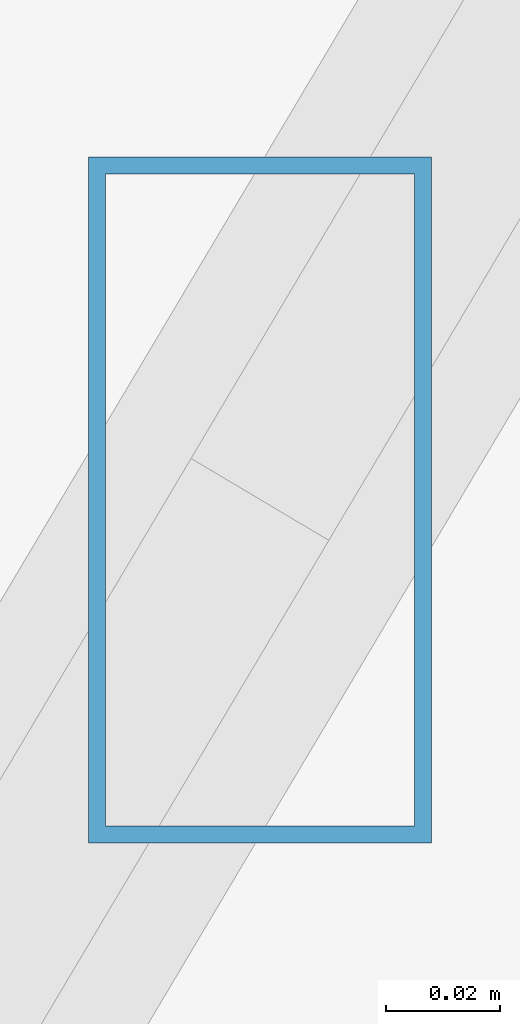
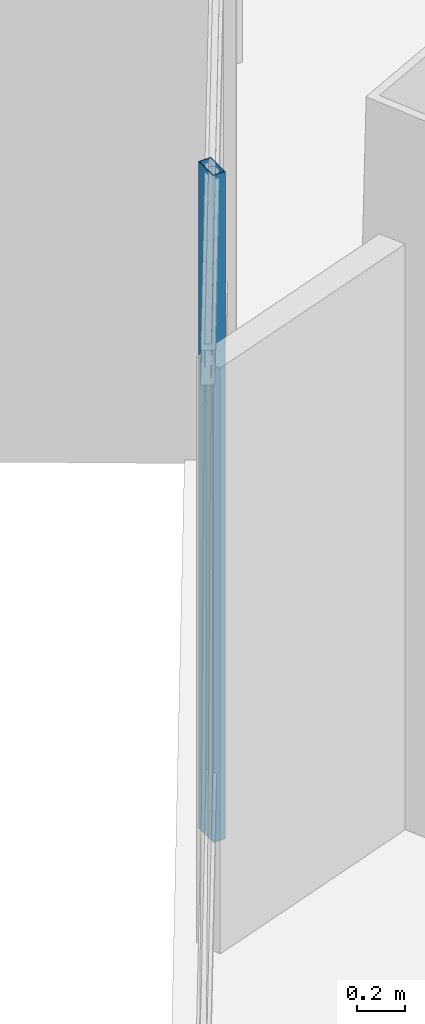
# One storey, part 7 of 42: 1 member, 1 element without a shape of its own.
"""IFC4 building model written with IfcOpenShell, lengths in metres."""

import ifcopenshell
import ifcopenshell.guid

model = None  # the IFC model being written
_history = None  # IfcOwnerHistory: only IFC2X3 demands one
_inside = {}  # id of a spatial element -> (the spatial element, [elements in it])
_under = {}  # id of a project, library or spatial element -> (it, [spatial elements below it])
_declared = {}  # id of a project -> (the project, [libraries it declares])
_typed = {}  # id of a type object -> (the type object, [elements of that type])
_made_of = {}  # id of a material, layer set ... -> (it, [elements and type objects made of it])


def new_model(schema):
    """Start an empty IFC model of exactly this schema.

    Asked for "IFC4X3", IfcOpenShell would pick the latest addendum, in which some entities
    have other attributes; the version numbers below select the first issue.
    IFC2X3 requires an IfcOwnerHistory on every rooted entity: one is made here for all.
    """
    global model, _history
    if schema == "IFC4X3":
        model = ifcopenshell.file(schema_version=(4, 3, 0, 0))
    else:
        model = ifcopenshell.file(schema=schema)
    _inside.clear()
    _under.clear()
    _declared.clear()
    _typed.clear()
    _made_of.clear()
    _history = None
    if model.schema == "IFC2X3":
        org = make("IfcOrganization", Name="unknown")
        user = make(
            "IfcPersonAndOrganization",
            ThePerson=make("IfcPerson", FamilyName="unknown"),
            TheOrganization=org,
        )
        app = make(
            "IfcApplication",
            ApplicationDeveloper=org,
            Version="unknown",
            ApplicationFullName="unknown",
            ApplicationIdentifier="unknown",
        )
        _history = make(
            "IfcOwnerHistory",
            OwningUser=user,
            OwningApplication=app,
            ChangeAction="ADDED",
            CreationDate=0,
        )
    return model


def make(cls, **values):
    """One entity of the class cls with the attributes given. An attribute that is None is left unset."""
    return model.create_entity(
        cls, **{name: value for name, value in values.items() if value is not None}
    )


def rooted(cls, **values):
    """An entity with a GlobalId (a new one), such as an element, a storey or a relation."""
    return make(cls, GlobalId=ifcopenshell.guid.new(), OwnerHistory=_history, **values)


def si_unit(unit_type, name, prefix=None):
    """IfcSIUnit, for example si_unit("LENGTHUNIT", "METRE", prefix="MILLI")."""
    return make("IfcSIUnit", UnitType=unit_type, Prefix=prefix, Name=name)


def assignment(units):
    """IfcUnitAssignment: the units of a project."""
    return None if units is None else make("IfcUnitAssignment", Units=units)


def point(xyz):
    """IfcCartesianPoint."""
    return None if xyz is None else make("IfcCartesianPoint", Coordinates=xyz)


def direction(xyz):
    """IfcDirection."""
    return None if xyz is None else make("IfcDirection", DirectionRatios=xyz)


def frame(location, z_axis=None, x_axis=None):
    """IfcAxis2Placement3D, a coordinate frame: its origin and axes. An axis left out is left unset."""
    return make(
        "IfcAxis2Placement3D",
        Location=point(location),
        Axis=direction(z_axis),
        RefDirection=direction(x_axis),
    )


def frame_2d(location, x_axis=None):
    """IfcAxis2Placement2D, a coordinate frame in the plane: its origin and x axis."""
    return make(
        "IfcAxis2Placement2D", Location=point(location), RefDirection=direction(x_axis)
    )


def origin():
    """The frame at (0, 0, 0) with its axes left unset."""
    return frame((0.0, 0.0, 0.0))


def origin_2d():
    """The frame at (0, 0) in the plane with its x axis left unset."""
    return frame_2d((0.0, 0.0))


def place(relative_to, where):
    """IfcLocalPlacement: puts the frame where relative to a parent placement (None: the world)."""
    return make(
        "IfcLocalPlacement", PlacementRelTo=relative_to, RelativePlacement=where
    )


def context(
    kind, dimensions, precision=None, world=None, true_north=None, identifier=None
):
    """IfcGeometricRepresentationContext, for example the 3D "Model" context."""
    return make(
        "IfcGeometricRepresentationContext",
        ContextIdentifier=identifier,
        ContextType=kind,
        CoordinateSpaceDimension=dimensions,
        Precision=precision,
        WorldCoordinateSystem=world,
        TrueNorth=true_north,
    )


def subcontext(parent, identifier, kind, view, scale=None):
    """IfcGeometricRepresentationSubContext, for example "Body" below "Model"."""
    return make(
        "IfcGeometricRepresentationSubContext",
        ContextIdentifier=identifier,
        ContextType=kind,
        ParentContext=parent,
        TargetScale=scale,
        TargetView=view,
    )


def project(units=None, contexts=None):
    """IfcProject with its units and contexts."""
    return rooted(
        "IfcProject",
        Name="project",
        RepresentationContexts=contexts,
        UnitsInContext=assignment(units),
    )


def spatial(cls, under=None, at=None, **own):
    """A site, building, storey or space (cls), placed at a placement, below another one or the project."""
    s = rooted(cls, ObjectPlacement=at, **own)
    if under is not None:
        _under.setdefault(under.id(), (under, []))[1].append(s)
    return s


def profile(cls, at=None, kind="AREA", **sizes):
    """A parametric profile (cls). Its sizes go by their IFC names, for example OverallWidth=200.0."""
    return make(cls, ProfileType=kind, Position=at, **sizes)


def hollow_rectangle(**sizes):
    """IfcRectangleHollowProfileDef."""
    return profile("IfcRectangleHollowProfileDef", **sizes)


def extrude(swept, where, along, depth):
    """IfcExtrudedAreaSolid: the profile swept, set in the frame where, extruded along a direction by depth."""
    return make(
        "IfcExtrudedAreaSolid",
        SweptArea=swept,
        Position=where,
        ExtrudedDirection=direction(along),
        Depth=depth,
    )


def shape(context_of_items, identifier, shape_type, items):
    """IfcShapeRepresentation: the items that make up one representation, for example the "Body"."""
    return make(
        "IfcShapeRepresentation",
        ContextOfItems=context_of_items,
        RepresentationIdentifier=identifier,
        RepresentationType=shape_type,
        Items=items,
    )


def source(mapping_origin, context_of_items, identifier, shape_type, items):
    """IfcRepresentationMap: a shape defined once, which mapped items show again and again."""
    return make(
        "IfcRepresentationMap",
        MappingOrigin=mapping_origin,
        MappedRepresentation=shape(context_of_items, identifier, shape_type, items),
    )


def transform(
    local_origin,
    x_axis=None,
    y_axis=None,
    z_axis=None,
    scale=None,
    scale2=None,
    scale3=None,
    uniform=True,
):
    """IfcCartesianTransformationOperator3D, or its non-uniform kind. x_axis, y_axis, z_axis: its Axis1, 2, 3."""
    if uniform:
        return make(
            "IfcCartesianTransformationOperator3D",
            Axis1=direction(x_axis),
            Axis2=direction(y_axis),
            LocalOrigin=point(local_origin),
            Scale=scale,
            Axis3=direction(z_axis),
        )
    return make(
        "IfcCartesianTransformationOperator3DnonUniform",
        Axis1=direction(x_axis),
        Axis2=direction(y_axis),
        LocalOrigin=point(local_origin),
        Scale=scale,
        Axis3=direction(z_axis),
        Scale2=scale2,
        Scale3=scale3,
    )


def mapped(mapping_source, mapping_target):
    """IfcMappedItem: shows the shape of a source again, moved by a transform."""
    return make(
        "IfcMappedItem", MappingSource=mapping_source, MappingTarget=mapping_target
    )


def material(Name=None, Category=None):
    """IfcMaterial."""
    return make("IfcMaterial", Name=Name, Category=Category)


def material_profile(
    of_material, cross_section, Name=None, Category=None, Priority=None
):
    """IfcMaterialProfile: a cross section and its material."""
    return make(
        "IfcMaterialProfile",
        Name=Name,
        Material=of_material,
        Profile=cross_section,
        Priority=Priority,
        Category=Category,
    )


def profile_set(profiles, Name=None, composite=None):
    """IfcMaterialProfileSet."""
    return make(
        "IfcMaterialProfileSet",
        Name=Name,
        MaterialProfiles=profiles,
        CompositeProfile=composite,
    )


def made_of(thing, what):
    """Note that an element or type object is made of a material, layer set ...; save() writes the relation."""
    if what is not None:
        _made_of.setdefault(what.id(), (what, []))[1].append(thing)
    return thing


def type_object(cls, material=None, **own):
    """A type object (cls), such as IfcWallType, which elements share."""
    return made_of(rooted(cls, **own), material)


def type_shapes(of_type, sources):
    """Give a type object the sources (RepresentationMaps) that its elements show as mapped items."""
    of_type.RepresentationMaps = sources


def element(
    cls,
    number,
    at=None,
    inside=None,
    cuts=None,
    type_object=None,
    material=None,
    context=None,
    identifier="Body",
    shape_type=None,
    held_by="IfcProductDefinitionShape",
    body=None,
    shapes=None,
    **own,
):
    """One element of the class cls, such as IfcWall. Its Tag is "e" and its number.

    at: its placement. inside: the storey or other place that contains it. cuts: it is an
    opening in that element (IfcRelVoidsElement). A single representation is given by context,
    identifier, shape_type and body (its items); several are given by shapes. held_by: the class
    of the entity that holds the representations. save() writes the other relations.
    """
    e = rooted(cls, Tag="e%d" % number, ObjectPlacement=at, **own)
    if body is not None:
        shapes = [shape(context, identifier, shape_type, body)]
    if shapes is not None:
        e.Representation = make(held_by, Representations=shapes)
    if inside is not None:
        _inside.setdefault(inside.id(), (inside, []))[1].append(e)
    if cuts is not None:
        rooted(
            "IfcRelVoidsElement", RelatingBuildingElement=cuts, RelatedOpeningElement=e
        )
    if type_object is not None:
        _typed.setdefault(type_object.id(), (type_object, []))[1].append(e)
    return made_of(e, material)


def aggregate(whole, parts):
    """IfcRelAggregates: a whole, such as a stair, and the parts it consists of."""
    return rooted("IfcRelAggregates", RelatingObject=whole, RelatedObjects=parts)


def save(model, path):
    """Write the relations noted so far, then the file.

    IfcRelAggregates (storeys below a building ...), IfcRelContainedInSpatialStructure (elements
    in a storey), IfcRelDefinesByType, IfcRelAssociatesMaterial and IfcRelDeclares: one each for
    every whole, place, type object, material and project.
    """
    for whole, parts in _under.values():
        aggregate(whole, parts)
    for where, things in _inside.values():
        rooted(
            "IfcRelContainedInSpatialStructure",
            RelatedElements=things,
            RelatingStructure=where,
        )
    for kind, things in _typed.values():
        rooted("IfcRelDefinesByType", RelatedObjects=things, RelatingType=kind)
    for what, things in _made_of.values():
        rooted("IfcRelAssociatesMaterial", RelatedObjects=things, RelatingMaterial=what)
    for by, libraries in _declared.values():
        rooted("IfcRelDeclares", RelatingContext=by, RelatedDefinitions=libraries)
    model.write(path)


model = new_model("IFC4")

# Units and contexts
model_context = context("Model", 3, precision=1e-05, world=origin(), true_north=direction((0.0, 1.0)))
body_context = subcontext(model_context, "Body", "Model", "MODEL_VIEW")
ifc_project = project(units=[si_unit("LENGTHUNIT", "METRE"), si_unit("AREAUNIT", "SQUARE_METRE"), si_unit("VOLUMEUNIT", "CUBIC_METRE"), si_unit("PLANEANGLEUNIT", "RADIAN"), si_unit("MASSUNIT", "GRAM", prefix="KILO")], contexts=[model_context])

# Site, building, storey
site_placement = place(None, origin())
site = spatial("IfcSite", under=ifc_project, at=site_placement, CompositionType="ELEMENT")
building_placement = place(site_placement, origin())
building = spatial("IfcBuilding", under=site, at=building_placement, Name="Caelisora Broadcast Tower", CompositionType="ELEMENT")
storey_placement = place(building_placement, frame((0.0, 0.0, 244.449951171875)))
storey = spatial("IfcBuildingStorey", under=building, at=storey_placement, Name="L64", CompositionType="ELEMENT", Elevation=244.449951171875)

# Curtain wall, member
ifc_material_1 = material(Name="Unitised Aluminium and Low-E Glass Curtain Wall", Category="glass")
curtain_wall_type = type_object("IfcCurtainWallType", Name="CW-Z5", PredefinedType="NOTDEFINED", material=ifc_material_1)
curtain_wall_placement = place(storey_placement, origin())
curtain_wall = element("IfcCurtainWall", 1, at=curtain_wall_placement, inside=storey, type_object=curtain_wall_type, Name="L64 curtain wall CW-Z5", PredefinedType="NOTDEFINED")
ifc_material_2 = material(Name="Aluminium 6063-T6 Anodised Terracotta Bronze", Category="aluminium")
ifc_material_profile = material_profile(ifc_material_2, hollow_rectangle(XDim=0.06005859375, YDim=0.1201171875, WallThickness=0.0029296875, at=origin_2d()), Name="Aluminium 6063-T6 Anodised Terracotta Bronze")
ifc_profile_set = profile_set([ifc_material_profile], Name="Aluminium 6063-T6 Anodised Terracotta Bronze")
member_type = type_object("IfcMemberType", Name="CWM-04", PredefinedType="MULLION", material=ifc_profile_set)
shared_shape = source(origin(), body_context, "Body", "SweptSolid", [
    extrude(hollow_rectangle(XDim=0.06005859375, YDim=0.1201171875, WallThickness=0.0029296875, at=origin_2d()), origin(), (0.0, 0.0, 1.0), 3.400146484375),
])
type_shapes(member_type, [shared_shape])
member_placement = place(storey_placement, frame((15.293212890625, 16.52490234375, 0.0), z_axis=(0.0, 0.0, 1.0), x_axis=(1.0, 0.0, 0.0)))
member = element("IfcMember", 2, at=member_placement, type_object=member_type, Name="L64-CW-B09 mullion #1", PredefinedType="MULLION", context=body_context, shape_type="MappedRepresentation", body=[
    mapped(shared_shape, transform((0.0, 0.0, 0.0), scale=1.0)),
])
aggregate(curtain_wall, [member])

save(model, "model.ifc")
